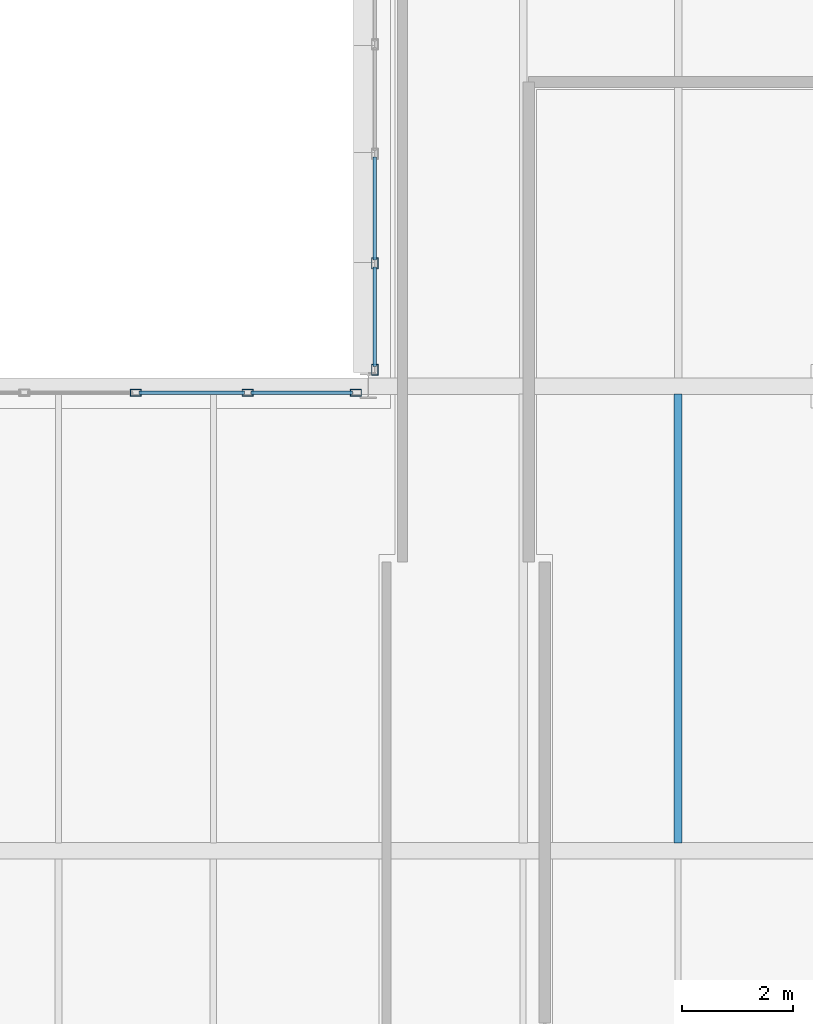
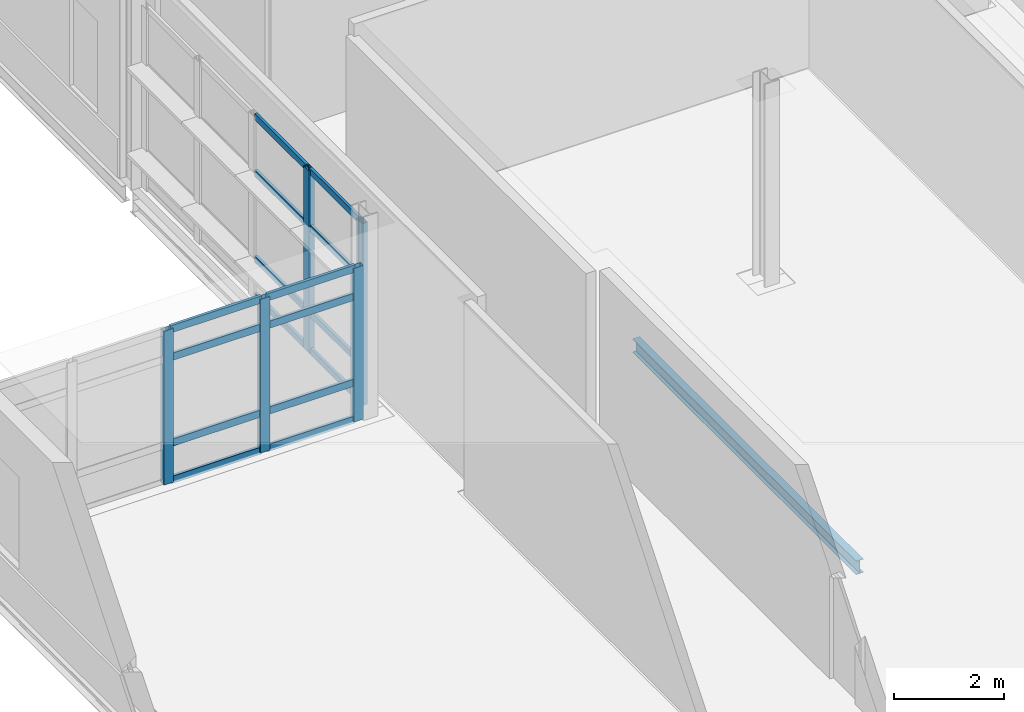
# One storey, part 49 of 129: 21 members, 1 beam, 2 elements without a shape of their own.
"""IFC4 building model written with IfcOpenShell, lengths in metres."""

from ifc_helpers import new_model, si_unit, direction, frame, origin, origin_2d, place, context, subcontext, project, spatial, hollow_rectangle, i_section, extrude, material, material_profile, profile_set, type_object, element, aggregate, save


model = new_model("IFC4")

# Units and contexts
model_context = context("Model", 3, precision=1e-05, world=origin(), true_north=direction((0.0, 1.0)))
body_context = subcontext(model_context, "Body", "Model", "MODEL_VIEW")
ifc_project = project(units=[si_unit("LENGTHUNIT", "METRE"), si_unit("AREAUNIT", "SQUARE_METRE"), si_unit("VOLUMEUNIT", "CUBIC_METRE"), si_unit("PLANEANGLEUNIT", "RADIAN"), si_unit("MASSUNIT", "GRAM", prefix="KILO")], contexts=[model_context])

# Site, building, storey
site_placement = place(None, origin())
site = spatial("IfcSite", under=ifc_project, at=site_placement, CompositionType="ELEMENT")
building_placement = place(site_placement, origin())
building = spatial("IfcBuilding", under=site, at=building_placement, Name="Mersafa Astral City Hall", CompositionType="ELEMENT")
storey_placement = place(building_placement, frame((0.0, 0.0, 5.39990234375)))
storey = spatial("IfcBuildingStorey", under=building, at=storey_placement, Name="L01", CompositionType="ELEMENT", Elevation=5.39990234375)

# Curtain wall, members
ifc_material_1 = material(Name="Anodised bronze aluminium framing", Category="aluminium")
curtain_wall_type_1 = type_object("IfcCurtainWallType", Name="ENV-CW-2", PredefinedType="USERDEFINED", material=ifc_material_1)
curtain_wall_1_placement = place(storey_placement, origin())
curtain_wall_1 = element("IfcCurtainWall", 1, at=curtain_wall_1_placement, inside=storey, type_object=curtain_wall_type_1, Name="L01 Unitised solar curtain wall 91", ObjectType="UNITISED CURTAIN WALL", PredefinedType="USERDEFINED")
ifc_material_profile_1 = material_profile(ifc_material_1, hollow_rectangle(XDim=0.1201171875, YDim=0.199951171875, WallThickness=0.008056640625, at=origin_2d()), Name="RHS 120x200x8")
ifc_profile_set_1 = profile_set([ifc_material_profile_1], Name="Anodised bronze aluminium framing")
member_type_1 = type_object("IfcMemberType", Name="ENV-CW-MUL-2", PredefinedType="MULLION", material=ifc_profile_set_1)
member_1_placement = place(storey_placement, frame((100.919921875, 94.618408203125, -0.001953125), z_axis=(0.0, 0.0, 1.0), x_axis=(1.0, 0.0, 0.0)))
member_1 = element("IfcMember", 2, at=member_1_placement, type_object=member_type_1, Name="CW-2 mullion 4", PredefinedType="MULLION", context=body_context, shape_type="SweptSolid", body=[
    extrude(hollow_rectangle(XDim=0.1201171875, YDim=0.199951171875, WallThickness=0.008056640625, at=origin_2d()), origin(), (0.0, 0.0, 1.0), 4.029052734375),
])
member_2_placement = place(storey_placement, frame((100.919921875, 92.697021484375, -0.001953125), z_axis=(0.0, 0.0, 1.0), x_axis=(1.0, 0.0, 0.0)))
member_2 = element("IfcMember", 3, at=member_2_placement, type_object=member_type_1, Name="CW-2 mullion 5", PredefinedType="MULLION", context=body_context, shape_type="SweptSolid", body=[
    extrude(hollow_rectangle(XDim=0.1201171875, YDim=0.199951171875, WallThickness=0.008056640625, at=origin_2d()), origin(), (0.0, 0.0, 1.0), 4.029052734375),
])

curtain_wall_type_2 = type_object("IfcCurtainWallType", Name="ENV-CW-3", PredefinedType="USERDEFINED", material=ifc_material_1)
curtain_wall_2_placement = place(storey_placement, origin())
curtain_wall_2 = element("IfcCurtainWall", 4, at=curtain_wall_2_placement, inside=storey, type_object=curtain_wall_type_2, Name="L01 Unitised solar curtain wall 92", ObjectType="UNITISED CURTAIN WALL", PredefinedType="USERDEFINED")
member_3_placement = place(storey_placement, frame((100.577880859375, 92.280029296875, -0.001953125), z_axis=(0.0, 0.0, 1.0), x_axis=(0.0, -1.0, 0.0)))
member_3 = element("IfcMember", 5, at=member_3_placement, type_object=member_type_1, Name="CW-3 mullion 1", PredefinedType="MULLION", context=body_context, shape_type="SweptSolid", body=[
    extrude(hollow_rectangle(XDim=0.1201171875, YDim=0.199951171875, WallThickness=0.008056640625, at=origin_2d()), origin(), (0.0, 0.0, 1.0), 3.399169921875),
])
member_4_placement = place(storey_placement, frame((98.618896484375, 92.280029296875, -0.001953125), z_axis=(0.0, 0.0, 1.0), x_axis=(0.0, -1.0, 0.0)))
member_4 = element("IfcMember", 6, at=member_4_placement, type_object=member_type_1, Name="CW-3 mullion 2", PredefinedType="MULLION", context=body_context, shape_type="SweptSolid", body=[
    extrude(hollow_rectangle(XDim=0.1201171875, YDim=0.199951171875, WallThickness=0.008056640625, at=origin_2d()), origin(), (0.0, 0.0, 1.0), 3.399169921875),
])
member_5_placement = place(storey_placement, frame((96.60009765625, 92.280029296875, -0.001953125), z_axis=(0.0, 0.0, 1.0), x_axis=(0.0, -1.0, 0.0)))
member_5 = element("IfcMember", 7, at=member_5_placement, type_object=member_type_1, Name="CW-3 mullion 3", PredefinedType="MULLION", context=body_context, shape_type="SweptSolid", body=[
    extrude(hollow_rectangle(XDim=0.1201171875, YDim=0.199951171875, WallThickness=0.008056640625, at=origin_2d()), origin(), (0.0, 0.0, 1.0), 3.399169921875),
])

# Member
ifc_material_profile_2 = material_profile(ifc_material_1, hollow_rectangle(XDim=0.06005859375, YDim=0.139892578125, WallThickness=0.00390625, at=origin_2d()), Name="RHS 60x140x4")
ifc_profile_set_2 = profile_set([ifc_material_profile_2], Name="Anodised bronze aluminium framing")
member_type_2 = type_object("IfcMemberType", Name="ENV-CW-TRN-1", PredefinedType="USERDEFINED", material=ifc_profile_set_2)
member_6_placement = place(storey_placement, frame((100.919921875, 96.5400390625, 0.028076171875), z_axis=(0.0, -1.0, 0.0), x_axis=(1.0, 0.0, 0.0)))
member_6 = element("IfcMember", 8, at=member_6_placement, type_object=member_type_2, Name="CW-2 transom 3.1", ObjectType="TRANSOM", PredefinedType="USERDEFINED", context=body_context, shape_type="SweptSolid", body=[
    extrude(hollow_rectangle(XDim=0.06005859375, YDim=0.139892578125, WallThickness=0.00390625, at=origin_2d()), origin(), (0.0, 0.0, 1.0), 1.861572265625),
])

member_7_placement = place(storey_placement, frame((100.919921875, 96.5400390625, 0.85009765625), z_axis=(0.0, -1.0, 0.0), x_axis=(1.0, 0.0, 0.0)))
member_7 = element("IfcMember", 9, at=member_7_placement, type_object=member_type_2, Name="CW-2 transom 3.2", ObjectType="TRANSOM", PredefinedType="USERDEFINED", context=body_context, shape_type="SweptSolid", body=[
    extrude(hollow_rectangle(XDim=0.06005859375, YDim=0.139892578125, WallThickness=0.00390625, at=origin_2d()), origin(), (0.0, 0.0, 1.0), 1.861572265625),
])

member_8_placement = place(storey_placement, frame((100.919921875, 96.5400390625, 2.75), z_axis=(0.0, -1.0, 0.0), x_axis=(1.0, 0.0, 0.0)))
member_8 = element("IfcMember", 10, at=member_8_placement, type_object=member_type_2, Name="CW-2 transom 3.3", ObjectType="TRANSOM", PredefinedType="USERDEFINED", context=body_context, shape_type="SweptSolid", body=[
    extrude(hollow_rectangle(XDim=0.06005859375, YDim=0.139892578125, WallThickness=0.00390625, at=origin_2d()), origin(), (0.0, 0.0, 1.0), 1.861572265625),
])

member_9_placement = place(storey_placement, frame((100.919921875, 96.5400390625, 3.9970703125), z_axis=(0.0, -1.0, 0.0), x_axis=(1.0, 0.0, 0.0)))
member_9 = element("IfcMember", 11, at=member_9_placement, type_object=member_type_2, Name="CW-2 transom 3.4", ObjectType="TRANSOM", PredefinedType="USERDEFINED", context=body_context, shape_type="SweptSolid", body=[
    extrude(hollow_rectangle(XDim=0.06005859375, YDim=0.139892578125, WallThickness=0.00390625, at=origin_2d()), origin(), (0.0, 0.0, 1.0), 1.861572265625),
])

member_10_placement = place(storey_placement, frame((100.919921875, 94.55859375, 0.028076171875), z_axis=(0.0, -1.0, 0.0), x_axis=(1.0, 0.0, 0.0)))
member_10 = element("IfcMember", 12, at=member_10_placement, type_object=member_type_2, Name="CW-2 transom 4.1", ObjectType="TRANSOM", PredefinedType="USERDEFINED", context=body_context, shape_type="SweptSolid", body=[
    extrude(hollow_rectangle(XDim=0.06005859375, YDim=0.139892578125, WallThickness=0.00390625, at=origin_2d()), origin(), (0.0, 0.0, 1.0), 1.801513671875),
])

member_11_placement = place(storey_placement, frame((100.919921875, 94.55859375, 0.85009765625), z_axis=(0.0, -1.0, 0.0), x_axis=(1.0, 0.0, 0.0)))
member_11 = element("IfcMember", 13, at=member_11_placement, type_object=member_type_2, Name="CW-2 transom 4.2", ObjectType="TRANSOM", PredefinedType="USERDEFINED", context=body_context, shape_type="SweptSolid", body=[
    extrude(hollow_rectangle(XDim=0.06005859375, YDim=0.139892578125, WallThickness=0.00390625, at=origin_2d()), origin(), (0.0, 0.0, 1.0), 1.801513671875),
])

member_12_placement = place(storey_placement, frame((100.919921875, 94.55859375, 2.75), z_axis=(0.0, -1.0, 0.0), x_axis=(1.0, 0.0, 0.0)))
member_12 = element("IfcMember", 14, at=member_12_placement, type_object=member_type_2, Name="CW-2 transom 4.3", ObjectType="TRANSOM", PredefinedType="USERDEFINED", context=body_context, shape_type="SweptSolid", body=[
    extrude(hollow_rectangle(XDim=0.06005859375, YDim=0.139892578125, WallThickness=0.00390625, at=origin_2d()), origin(), (0.0, 0.0, 1.0), 1.801513671875),
])

member_13_placement = place(storey_placement, frame((100.919921875, 94.55859375, 3.9970703125), z_axis=(0.0, -1.0, 0.0), x_axis=(1.0, 0.0, 0.0)))
member_13 = element("IfcMember", 15, at=member_13_placement, type_object=member_type_2, Name="CW-2 transom 4.4", ObjectType="TRANSOM", PredefinedType="USERDEFINED", context=body_context, shape_type="SweptSolid", body=[
    extrude(hollow_rectangle(XDim=0.06005859375, YDim=0.139892578125, WallThickness=0.00390625, at=origin_2d()), origin(), (0.0, 0.0, 1.0), 1.801513671875),
])

aggregate(curtain_wall_1, [member_1, member_2, member_6, member_7, member_8, member_9, member_10, member_11, member_12, member_13])

ifc_material_profile_3 = material_profile(ifc_material_1, hollow_rectangle(XDim=0.06005859375, YDim=0.159912109375, WallThickness=0.00390625, at=origin_2d()), Name="RHS 60x160x4")
ifc_profile_set_3 = profile_set([ifc_material_profile_3], Name="Anodised bronze aluminium framing")
member_type_3 = type_object("IfcMemberType", Name="ENV-CW-TRN-2", PredefinedType="USERDEFINED", material=ifc_profile_set_3)
member_14_placement = place(storey_placement, frame((100.51806640625, 92.280029296875, 0.028076171875), z_axis=(-1.0, 0.0, 0.0), x_axis=(0.0, -1.0, 0.0)))
member_14 = element("IfcMember", 16, at=member_14_placement, type_object=member_type_3, Name="CW-3 transom 1.1", ObjectType="TRANSOM", PredefinedType="USERDEFINED", context=body_context, shape_type="SweptSolid", body=[
    extrude(hollow_rectangle(XDim=0.06005859375, YDim=0.159912109375, WallThickness=0.00390625, at=origin_2d()), origin(), (0.0, 0.0, 1.0), 1.839111328125),
])

member_15_placement = place(storey_placement, frame((100.51806640625, 92.280029296875, 0.85009765625), z_axis=(-1.0, 0.0, 0.0), x_axis=(0.0, -1.0, 0.0)))
member_15 = element("IfcMember", 17, at=member_15_placement, type_object=member_type_3, Name="CW-3 transom 1.2", ObjectType="TRANSOM", PredefinedType="USERDEFINED", context=body_context, shape_type="SweptSolid", body=[
    extrude(hollow_rectangle(XDim=0.06005859375, YDim=0.159912109375, WallThickness=0.00390625, at=origin_2d()), origin(), (0.0, 0.0, 1.0), 1.839111328125),
])

member_16_placement = place(storey_placement, frame((100.51806640625, 92.280029296875, 2.75), z_axis=(-1.0, 0.0, 0.0), x_axis=(0.0, -1.0, 0.0)))
member_16 = element("IfcMember", 18, at=member_16_placement, type_object=member_type_3, Name="CW-3 transom 1.3", ObjectType="TRANSOM", PredefinedType="USERDEFINED", context=body_context, shape_type="SweptSolid", body=[
    extrude(hollow_rectangle(XDim=0.06005859375, YDim=0.159912109375, WallThickness=0.00390625, at=origin_2d()), origin(), (0.0, 0.0, 1.0), 1.839111328125),
])

member_17_placement = place(storey_placement, frame((100.51806640625, 92.280029296875, 3.3671875), z_axis=(-1.0, 0.0, 0.0), x_axis=(0.0, -1.0, 0.0)))
member_17 = element("IfcMember", 19, at=member_17_placement, type_object=member_type_3, Name="CW-3 transom 1.4", ObjectType="TRANSOM", PredefinedType="USERDEFINED", context=body_context, shape_type="SweptSolid", body=[
    extrude(hollow_rectangle(XDim=0.06005859375, YDim=0.159912109375, WallThickness=0.00390625, at=origin_2d()), origin(), (0.0, 0.0, 1.0), 1.839111328125),
])

member_18_placement = place(storey_placement, frame((98.55908203125, 92.280029296875, 0.028076171875), z_axis=(-1.0, 0.0, 0.0), x_axis=(0.0, -1.0, 0.0)))
member_18 = element("IfcMember", 20, at=member_18_placement, type_object=member_type_3, Name="CW-3 transom 2.1", ObjectType="TRANSOM", PredefinedType="USERDEFINED", context=body_context, shape_type="SweptSolid", body=[
    extrude(hollow_rectangle(XDim=0.06005859375, YDim=0.159912109375, WallThickness=0.00390625, at=origin_2d()), origin(), (0.0, 0.0, 1.0), 1.899169921875),
])

member_19_placement = place(storey_placement, frame((98.55908203125, 92.280029296875, 0.85009765625), z_axis=(-1.0, 0.0, 0.0), x_axis=(0.0, -1.0, 0.0)))
member_19 = element("IfcMember", 21, at=member_19_placement, type_object=member_type_3, Name="CW-3 transom 2.2", ObjectType="TRANSOM", PredefinedType="USERDEFINED", context=body_context, shape_type="SweptSolid", body=[
    extrude(hollow_rectangle(XDim=0.06005859375, YDim=0.159912109375, WallThickness=0.00390625, at=origin_2d()), origin(), (0.0, 0.0, 1.0), 1.899169921875),
])

member_20_placement = place(storey_placement, frame((98.55908203125, 92.280029296875, 2.75), z_axis=(-1.0, 0.0, 0.0), x_axis=(0.0, -1.0, 0.0)))
member_20 = element("IfcMember", 22, at=member_20_placement, type_object=member_type_3, Name="CW-3 transom 2.3", ObjectType="TRANSOM", PredefinedType="USERDEFINED", context=body_context, shape_type="SweptSolid", body=[
    extrude(hollow_rectangle(XDim=0.06005859375, YDim=0.159912109375, WallThickness=0.00390625, at=origin_2d()), origin(), (0.0, 0.0, 1.0), 1.899169921875),
])

member_21_placement = place(storey_placement, frame((98.55908203125, 92.280029296875, 3.3671875), z_axis=(-1.0, 0.0, 0.0), x_axis=(0.0, -1.0, 0.0)))
member_21 = element("IfcMember", 23, at=member_21_placement, type_object=member_type_3, Name="CW-3 transom 2.4", ObjectType="TRANSOM", PredefinedType="USERDEFINED", context=body_context, shape_type="SweptSolid", body=[
    extrude(hollow_rectangle(XDim=0.06005859375, YDim=0.159912109375, WallThickness=0.00390625, at=origin_2d()), origin(), (0.0, 0.0, 1.0), 1.899169921875),
])

aggregate(curtain_wall_2, [member_3, member_4, member_5, member_14, member_15, member_16, member_17, member_18, member_19, member_20, member_21])

# Beam
ifc_material_2 = material(Name="Steel S355", Category="steel")
ifc_material_profile_4 = material_profile(ifc_material_2, i_section(OverallWidth=0.14990234375, OverallDepth=0.300048828125, WebThickness=0.007080078125, FlangeThickness=0.0107421875, FilletRadius=0.014892578125, at=origin_2d()), Name="IPE 300")
ifc_profile_set_4 = profile_set([ifc_material_profile_4], Name="Steel S355")
beam_type = type_object("IfcBeamType", Name="STR-BM-JOIST-IPE300", PredefinedType="JOIST", material=ifc_profile_set_4)
beam_placement = place(storey_placement, frame((106.39990234375, 84.14501953125, -0.375), z_axis=(0.0, 1.0, 0.0), x_axis=(-1.0, 0.0, 0.0)))
element("IfcBeam", 24, at=beam_placement, inside=storey, type_object=beam_type, Name="L01 Composite secondary floor joist 297", PredefinedType="JOIST", context=body_context, shape_type="SweptSolid", body=[
    extrude(i_section(OverallWidth=0.14990234375, OverallDepth=0.300048828125, WebThickness=0.007080078125, FlangeThickness=0.0107421875, FilletRadius=0.014892578125, at=origin_2d()), origin(), (0.0, 0.0, 1.0), 8.10986328125),
])

save(model, "model.ifc")
